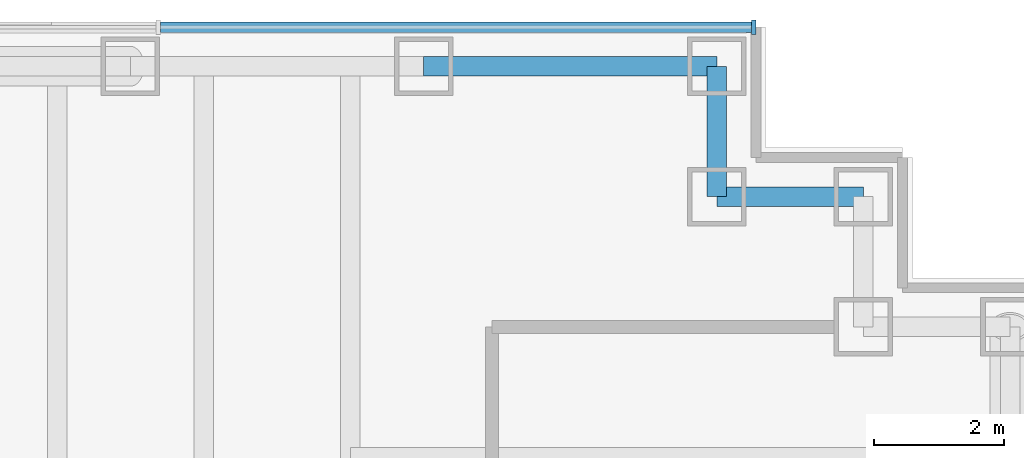
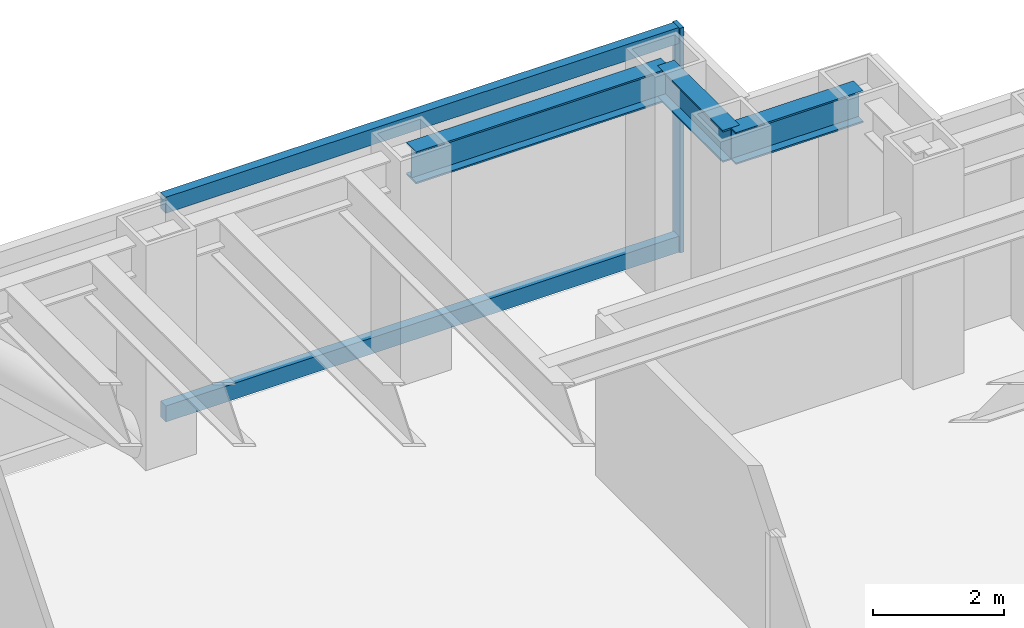
# One storey, part 8 of 14: 3 beams, 3 members, 1 element without a shape of its own.
"""IFC4 building model written with IfcOpenShell, lengths in metres."""

from ifc_helpers import new_model, si_unit, direction, frame, origin, origin_2d, place, context, subcontext, project, spatial, rectangle, i_section, extrude, material, material_profile, profile_set, type_object, element, aggregate, save


model = new_model("IFC4")

# Units and contexts
model_context = context("Model", 3, precision=1e-05, world=origin(), true_north=direction((0.0, 1.0)))
body_context = subcontext(model_context, "Body", "Model", "MODEL_VIEW")
ifc_project = project(units=[si_unit("LENGTHUNIT", "METRE"), si_unit("AREAUNIT", "SQUARE_METRE"), si_unit("VOLUMEUNIT", "CUBIC_METRE"), si_unit("PLANEANGLEUNIT", "RADIAN"), si_unit("MASSUNIT", "GRAM", prefix="KILO")], contexts=[model_context])

# Site, building, storey
site_placement = place(None, origin())
site = spatial("IfcSite", under=ifc_project, at=site_placement, CompositionType="ELEMENT")
building_placement = place(site_placement, origin())
building = spatial("IfcBuilding", under=site, at=building_placement, Name="Rheinbord Bourse Tower", CompositionType="ELEMENT")
storey_placement = place(building_placement, frame((0.0, 0.0, 253.0)))
storey = spatial("IfcBuildingStorey", under=building, at=storey_placement, Name="L57", CompositionType="ELEMENT", Elevation=253.0)

# Curtain wall, members
ifc_material_1 = material(Name="Dark glass and black aluminium", Category="aluminium")
curtain_wall_type = type_object("IfcCurtainWallType", Name="CW2 DARK GLASS CURTAIN WALL", PredefinedType="USERDEFINED", material=ifc_material_1)
curtain_wall_placement = place(storey_placement, origin())
curtain_wall = element("IfcCurtainWall", 1, at=curtain_wall_placement, inside=storey, type_object=curtain_wall_type, Name="Curtain wall CW2 N L57", ObjectType="UNITISED CURTAIN WALL", PredefinedType="USERDEFINED")
ifc_material_2 = material(Name="Black anodised aluminium", Category="aluminium")
ifc_material_profile_1 = material_profile(ifc_material_2, rectangle(XDim=0.219970703125, YDim=0.070068359375, at=origin_2d()), Name="CW2 MULLION 70x220")
ifc_profile_set_1 = profile_set([ifc_material_profile_1], Name="Black anodised aluminium")
member_type_1 = type_object("IfcMemberType", Name="CW2 BLACK MULLION", PredefinedType="MULLION", material=ifc_profile_set_1)
member_1_placement = place(storey_placement, frame((68.06494140625, 44.60009765625, 0.0), z_axis=(0.0, 0.0, 1.0), x_axis=(0.0, -1.0, 0.0)))
member_1 = element("IfcMember", 2, at=member_1_placement, type_object=member_type_1, Name="CW2 mullion 1", PredefinedType="MULLION", context=body_context, shape_type="SweptSolid", body=[
    extrude(rectangle(XDim=0.219970703125, YDim=0.070068359375, at=origin_2d()), origin(), (0.0, 0.0, 1.0), 4.199951171875),
])
ifc_material_3 = material(Name="Black anodised aluminium", Category="aluminium")
ifc_material_profile_2 = material_profile(ifc_material_3, rectangle(XDim=0.159912109375, YDim=0.300048828125, at=origin_2d()), Name="CW2 TRANSOM 300x160")
ifc_profile_set_2 = profile_set([ifc_material_profile_2], Name="Black anodised aluminium")
member_type_2 = type_object("IfcMemberType", Name="CW2 BLACK TRANSOM", PredefinedType="USERDEFINED", material=ifc_profile_set_2)
member_2_placement = place(storey_placement, frame((68.030029296875, 44.60009765625, 0.14990234375), z_axis=(-1.0, 0.0, 0.0), x_axis=(0.0, -1.0, 0.0)))
member_2 = element("IfcMember", 3, at=member_2_placement, type_object=member_type_2, Name="CW2 transom 1.1", ObjectType="TRANSOM", PredefinedType="USERDEFINED", context=body_context, shape_type="SweptSolid", body=[
    extrude(rectangle(XDim=0.159912109375, YDim=0.300048828125, at=origin_2d()), origin(), (0.0, 0.0, 1.0), 9.06640625),
])
member_3_placement = place(storey_placement, frame((68.030029296875, 44.60009765625, 4.050048828125), z_axis=(-1.0, 0.0, 0.0), x_axis=(0.0, -1.0, 0.0)))
member_3 = element("IfcMember", 4, at=member_3_placement, type_object=member_type_2, Name="CW2 transom 1.2", ObjectType="TRANSOM", PredefinedType="USERDEFINED", context=body_context, shape_type="SweptSolid", body=[
    extrude(rectangle(XDim=0.159912109375, YDim=0.300048828125, at=origin_2d()), origin(), (0.0, 0.0, 1.0), 9.06640625),
])
aggregate(curtain_wall, [member_1, member_2, member_3])

# Beams
ifc_material_4 = material(Name="Steel S460", Category="steel")
ifc_material_profile_3 = material_profile(ifc_material_4, i_section(OverallWidth=0.300048828125, OverallDepth=0.60009765625, WebThickness=0.015380859375, FlangeThickness=0.030029296875, at=origin_2d()), Name="HEB 600")
ifc_profile_set_3 = profile_set([ifc_material_profile_3], Name="Steel S460")
beam_type = type_object("IfcBeamType", Name="SPANDREL HEB 600", PredefinedType="SPANDREL", material=ifc_profile_set_3)
beam_1_placement = place(storey_placement, frame((69.75, 42.0, 3.739990234375), z_axis=(-1.0, 0.0, 0.0), x_axis=(0.0, -1.0, 0.0)))
element("IfcBeam", 5, at=beam_1_placement, inside=storey, type_object=beam_type, Name="Spandrel NE-C-NE-D under L58", PredefinedType="SPANDREL", context=body_context, shape_type="SweptSolid", body=[
    extrude(i_section(OverallWidth=0.300048828125, OverallDepth=0.60009765625, WebThickness=0.015380859375, FlangeThickness=0.030029296875, at=origin_2d()), origin(), (0.0, 0.0, 1.0), 2.25),
])
beam_2_placement = place(storey_placement, frame((67.5, 42.0, 3.739990234375), z_axis=(0.0, 1.0, 0.0), x_axis=(-1.0, 0.0, 0.0)))
element("IfcBeam", 6, at=beam_2_placement, inside=storey, type_object=beam_type, Name="Spandrel NE-D-NE-E under L58", PredefinedType="SPANDREL", context=body_context, shape_type="SweptSolid", body=[
    extrude(i_section(OverallWidth=0.300048828125, OverallDepth=0.60009765625, WebThickness=0.015380859375, FlangeThickness=0.030029296875, at=origin_2d()), origin(), (0.0, 0.0, 1.0), 2.0),
])
beam_3_placement = place(storey_placement, frame((67.5, 44.0, 3.739990234375), z_axis=(-1.0, 0.0, 0.0), x_axis=(0.0, -1.0, 0.0)))
element("IfcBeam", 7, at=beam_3_placement, inside=storey, type_object=beam_type, Name="Spandrel NE-E-N-63 under L58", PredefinedType="SPANDREL", context=body_context, shape_type="SweptSolid", body=[
    extrude(i_section(OverallWidth=0.300048828125, OverallDepth=0.60009765625, WebThickness=0.015380859375, FlangeThickness=0.030029296875, at=origin_2d()), origin(), (0.0, 0.0, 1.0), 4.5),
])

save(model, "model.ifc")
